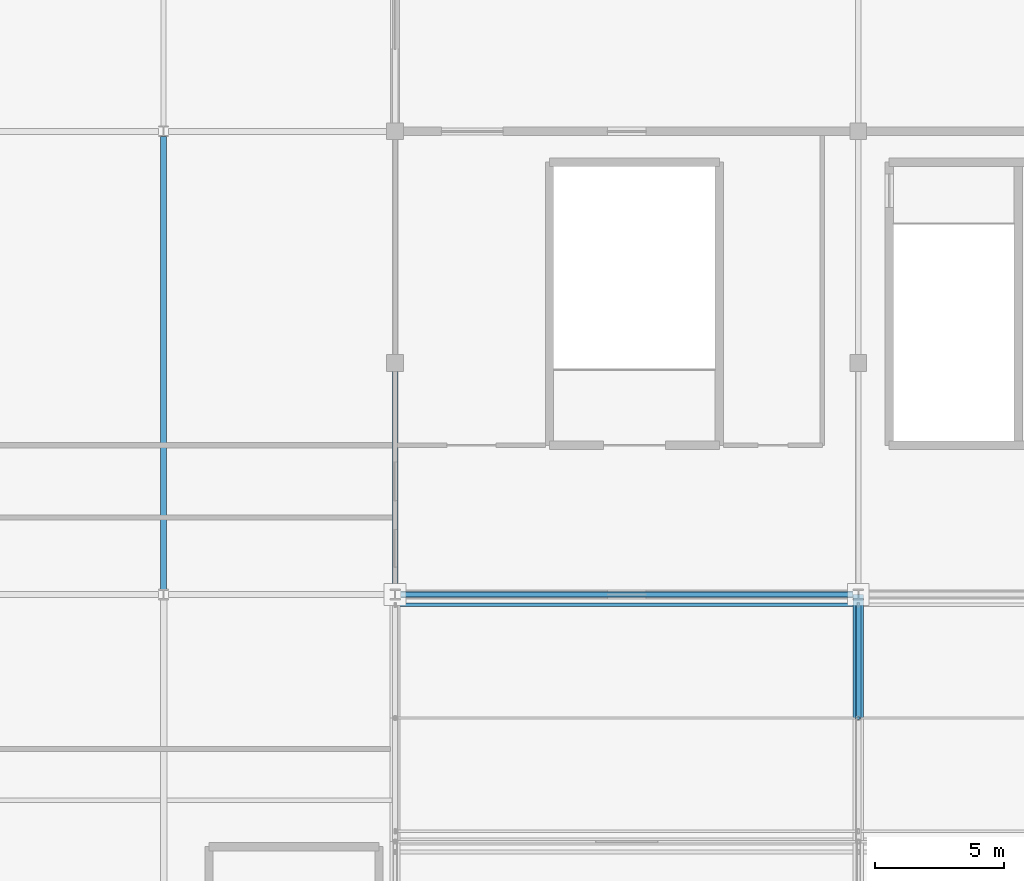
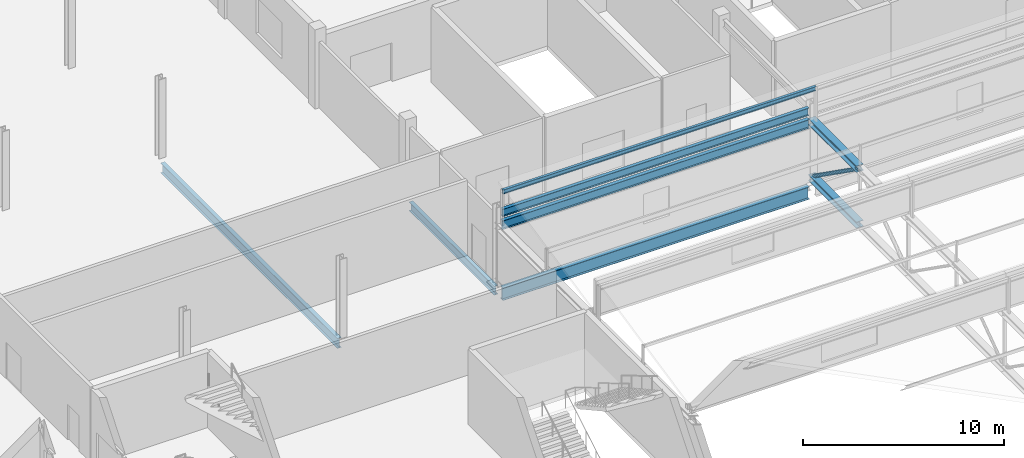
# One storey, part 45 of 136: 7 beams, 2 members.
"""IFC4 building model written with IfcOpenShell, lengths in metres."""

import ifcopenshell
import ifcopenshell.guid

model = None  # the IFC model being written
_history = None  # IfcOwnerHistory: only IFC2X3 demands one
_inside = {}  # id of a spatial element -> (the spatial element, [elements in it])
_under = {}  # id of a project, library or spatial element -> (it, [spatial elements below it])
_declared = {}  # id of a project -> (the project, [libraries it declares])
_typed = {}  # id of a type object -> (the type object, [elements of that type])
_made_of = {}  # id of a material, layer set ... -> (it, [elements and type objects made of it])


def new_model(schema):
    """Start an empty IFC model of exactly this schema.

    Asked for "IFC4X3", IfcOpenShell would pick the latest addendum, in which some entities
    have other attributes; the version numbers below select the first issue.
    IFC2X3 requires an IfcOwnerHistory on every rooted entity: one is made here for all.
    """
    global model, _history
    if schema == "IFC4X3":
        model = ifcopenshell.file(schema_version=(4, 3, 0, 0))
    else:
        model = ifcopenshell.file(schema=schema)
    _inside.clear()
    _under.clear()
    _declared.clear()
    _typed.clear()
    _made_of.clear()
    _history = None
    if model.schema == "IFC2X3":
        org = make("IfcOrganization", Name="unknown")
        user = make(
            "IfcPersonAndOrganization",
            ThePerson=make("IfcPerson", FamilyName="unknown"),
            TheOrganization=org,
        )
        app = make(
            "IfcApplication",
            ApplicationDeveloper=org,
            Version="unknown",
            ApplicationFullName="unknown",
            ApplicationIdentifier="unknown",
        )
        _history = make(
            "IfcOwnerHistory",
            OwningUser=user,
            OwningApplication=app,
            ChangeAction="ADDED",
            CreationDate=0,
        )
    return model


def make(cls, **values):
    """One entity of the class cls with the attributes given. An attribute that is None is left unset."""
    return model.create_entity(
        cls, **{name: value for name, value in values.items() if value is not None}
    )


def rooted(cls, **values):
    """An entity with a GlobalId (a new one), such as an element, a storey or a relation."""
    return make(cls, GlobalId=ifcopenshell.guid.new(), OwnerHistory=_history, **values)


def si_unit(unit_type, name, prefix=None):
    """IfcSIUnit, for example si_unit("LENGTHUNIT", "METRE", prefix="MILLI")."""
    return make("IfcSIUnit", UnitType=unit_type, Prefix=prefix, Name=name)


def assignment(units):
    """IfcUnitAssignment: the units of a project."""
    return None if units is None else make("IfcUnitAssignment", Units=units)


def point(xyz):
    """IfcCartesianPoint."""
    return None if xyz is None else make("IfcCartesianPoint", Coordinates=xyz)


def direction(xyz):
    """IfcDirection."""
    return None if xyz is None else make("IfcDirection", DirectionRatios=xyz)


def frame(location, z_axis=None, x_axis=None):
    """IfcAxis2Placement3D, a coordinate frame: its origin and axes. An axis left out is left unset."""
    return make(
        "IfcAxis2Placement3D",
        Location=point(location),
        Axis=direction(z_axis),
        RefDirection=direction(x_axis),
    )


def frame_2d(location, x_axis=None):
    """IfcAxis2Placement2D, a coordinate frame in the plane: its origin and x axis."""
    return make(
        "IfcAxis2Placement2D", Location=point(location), RefDirection=direction(x_axis)
    )


def origin():
    """The frame at (0, 0, 0) with its axes left unset."""
    return frame((0.0, 0.0, 0.0))


def origin_2d():
    """The frame at (0, 0) in the plane with its x axis left unset."""
    return frame_2d((0.0, 0.0))


def place(relative_to, where):
    """IfcLocalPlacement: puts the frame where relative to a parent placement (None: the world)."""
    return make(
        "IfcLocalPlacement", PlacementRelTo=relative_to, RelativePlacement=where
    )


def context(
    kind, dimensions, precision=None, world=None, true_north=None, identifier=None
):
    """IfcGeometricRepresentationContext, for example the 3D "Model" context."""
    return make(
        "IfcGeometricRepresentationContext",
        ContextIdentifier=identifier,
        ContextType=kind,
        CoordinateSpaceDimension=dimensions,
        Precision=precision,
        WorldCoordinateSystem=world,
        TrueNorth=true_north,
    )


def subcontext(parent, identifier, kind, view, scale=None):
    """IfcGeometricRepresentationSubContext, for example "Body" below "Model"."""
    return make(
        "IfcGeometricRepresentationSubContext",
        ContextIdentifier=identifier,
        ContextType=kind,
        ParentContext=parent,
        TargetScale=scale,
        TargetView=view,
    )


def project(units=None, contexts=None):
    """IfcProject with its units and contexts."""
    return rooted(
        "IfcProject",
        Name="project",
        RepresentationContexts=contexts,
        UnitsInContext=assignment(units),
    )


def spatial(cls, under=None, at=None, **own):
    """A site, building, storey or space (cls), placed at a placement, below another one or the project."""
    s = rooted(cls, ObjectPlacement=at, **own)
    if under is not None:
        _under.setdefault(under.id(), (under, []))[1].append(s)
    return s


def profile(cls, at=None, kind="AREA", **sizes):
    """A parametric profile (cls). Its sizes go by their IFC names, for example OverallWidth=200.0."""
    return make(cls, ProfileType=kind, Position=at, **sizes)


def hollow_circle(**sizes):
    """IfcCircleHollowProfileDef."""
    return profile("IfcCircleHollowProfileDef", **sizes)


def i_section(**sizes):
    """IfcIShapeProfileDef."""
    return profile("IfcIShapeProfileDef", **sizes)


def extrude(swept, where, along, depth):
    """IfcExtrudedAreaSolid: the profile swept, set in the frame where, extruded along a direction by depth."""
    return make(
        "IfcExtrudedAreaSolid",
        SweptArea=swept,
        Position=where,
        ExtrudedDirection=direction(along),
        Depth=depth,
    )


def shape(context_of_items, identifier, shape_type, items):
    """IfcShapeRepresentation: the items that make up one representation, for example the "Body"."""
    return make(
        "IfcShapeRepresentation",
        ContextOfItems=context_of_items,
        RepresentationIdentifier=identifier,
        RepresentationType=shape_type,
        Items=items,
    )


def material(Name=None, Category=None):
    """IfcMaterial."""
    return make("IfcMaterial", Name=Name, Category=Category)


def material_profile(
    of_material, cross_section, Name=None, Category=None, Priority=None
):
    """IfcMaterialProfile: a cross section and its material."""
    return make(
        "IfcMaterialProfile",
        Name=Name,
        Material=of_material,
        Profile=cross_section,
        Priority=Priority,
        Category=Category,
    )


def profile_set(profiles, Name=None, composite=None):
    """IfcMaterialProfileSet."""
    return make(
        "IfcMaterialProfileSet",
        Name=Name,
        MaterialProfiles=profiles,
        CompositeProfile=composite,
    )


def made_of(thing, what):
    """Note that an element or type object is made of a material, layer set ...; save() writes the relation."""
    if what is not None:
        _made_of.setdefault(what.id(), (what, []))[1].append(thing)
    return thing


def type_object(cls, material=None, **own):
    """A type object (cls), such as IfcWallType, which elements share."""
    return made_of(rooted(cls, **own), material)


def element(
    cls,
    number,
    at=None,
    inside=None,
    cuts=None,
    type_object=None,
    material=None,
    context=None,
    identifier="Body",
    shape_type=None,
    held_by="IfcProductDefinitionShape",
    body=None,
    shapes=None,
    **own,
):
    """One element of the class cls, such as IfcWall. Its Tag is "e" and its number.

    at: its placement. inside: the storey or other place that contains it. cuts: it is an
    opening in that element (IfcRelVoidsElement). A single representation is given by context,
    identifier, shape_type and body (its items); several are given by shapes. held_by: the class
    of the entity that holds the representations. save() writes the other relations.
    """
    e = rooted(cls, Tag="e%d" % number, ObjectPlacement=at, **own)
    if body is not None:
        shapes = [shape(context, identifier, shape_type, body)]
    if shapes is not None:
        e.Representation = make(held_by, Representations=shapes)
    if inside is not None:
        _inside.setdefault(inside.id(), (inside, []))[1].append(e)
    if cuts is not None:
        rooted(
            "IfcRelVoidsElement", RelatingBuildingElement=cuts, RelatedOpeningElement=e
        )
    if type_object is not None:
        _typed.setdefault(type_object.id(), (type_object, []))[1].append(e)
    return made_of(e, material)


def aggregate(whole, parts):
    """IfcRelAggregates: a whole, such as a stair, and the parts it consists of."""
    return rooted("IfcRelAggregates", RelatingObject=whole, RelatedObjects=parts)


def save(model, path):
    """Write the relations noted so far, then the file.

    IfcRelAggregates (storeys below a building ...), IfcRelContainedInSpatialStructure (elements
    in a storey), IfcRelDefinesByType, IfcRelAssociatesMaterial and IfcRelDeclares: one each for
    every whole, place, type object, material and project.
    """
    for whole, parts in _under.values():
        aggregate(whole, parts)
    for where, things in _inside.values():
        rooted(
            "IfcRelContainedInSpatialStructure",
            RelatedElements=things,
            RelatingStructure=where,
        )
    for kind, things in _typed.values():
        rooted("IfcRelDefinesByType", RelatedObjects=things, RelatingType=kind)
    for what, things in _made_of.values():
        rooted("IfcRelAssociatesMaterial", RelatedObjects=things, RelatingMaterial=what)
    for by, libraries in _declared.values():
        rooted("IfcRelDeclares", RelatingContext=by, RelatedDefinitions=libraries)
    model.write(path)


model = new_model("IFC4")

# Units and contexts
model_context = context("Model", 3, precision=1e-05, world=origin(), true_north=direction((0.0, 1.0)))
body_context = subcontext(model_context, "Body", "Model", "MODEL_VIEW")
ifc_project = project(units=[si_unit("LENGTHUNIT", "METRE"), si_unit("AREAUNIT", "SQUARE_METRE"), si_unit("VOLUMEUNIT", "CUBIC_METRE"), si_unit("PLANEANGLEUNIT", "RADIAN"), si_unit("MASSUNIT", "GRAM", prefix="KILO")], contexts=[model_context])

# Site, building, storey
site_placement = place(None, origin())
site = spatial("IfcSite", under=ifc_project, at=site_placement, CompositionType="ELEMENT")
building_placement = place(site_placement, origin())
building = spatial("IfcBuilding", under=site, at=building_placement, Name="Kisiwana Market Hall", CompositionType="ELEMENT")
storey_placement = place(building_placement, frame((0.0, 0.0, 16.800048828125)))
storey = spatial("IfcBuildingStorey", under=building, at=storey_placement, Name="L03", CompositionType="ELEMENT", Elevation=16.800048828125)

# Beams
ifc_material_1 = material(Name="Steel S355", Category="steel")
ifc_material_profile_1 = material_profile(ifc_material_1, i_section(OverallWidth=0.19140625, OverallDepth=0.4599609375, WebThickness=0.010009765625, FlangeThickness=0.01611328125, at=origin_2d()), Name="UB 457x191x82")
ifc_profile_set_1 = profile_set([ifc_material_profile_1], Name="Steel S355")
beam_type_1 = type_object("IfcBeamType", Name="BM-GIRD-UB457H", PredefinedType="BEAM", material=ifc_profile_set_1)
beam_1_placement = place(storey_placement, frame((45.201904296875, 84.0, 4.27783203125), z_axis=(1.0, 0.0, 0.0), x_axis=(0.0, 1.0, 0.0)))
element("IfcBeam", 1, at=beam_1_placement, inside=storey, type_object=beam_type_1, Name="Roof girder B-1150", PredefinedType="BEAM", context=body_context, shape_type="SweptSolid", body=[
    extrude(i_section(OverallWidth=0.19140625, OverallDepth=0.4599609375, WebThickness=0.010009765625, FlangeThickness=0.01611328125, at=origin_2d()), origin(), (0.0, 0.0, 1.0), 17.59619140625),
])
ifc_material_2 = material(Name="Steel S355", Category="steel")
ifc_material_profile_2 = material_profile(ifc_material_2, i_section(OverallWidth=0.209228515625, OverallDepth=0.533203125, WebThickness=0.010009765625, FlangeThickness=0.015625, at=origin_2d()), Name="UB 533x210x92")
ifc_profile_set_2 = profile_set([ifc_material_profile_2], Name="Steel S355")
beam_type_2 = type_object("IfcBeamType", Name="BM-GIRD-UB533", PredefinedType="BEAM", material=ifc_profile_set_2)
beam_2_placement = place(storey_placement, frame((45.0, 84.21337890625, -0.5166015625), z_axis=(0.0, 1.0, 0.0), x_axis=(-1.0, 0.0, 0.0)))
element("IfcBeam", 2, at=beam_2_placement, inside=storey, type_object=beam_type_2, Name="Primary girder B-0879", PredefinedType="BEAM", context=body_context, shape_type="SweptSolid", body=[
    extrude(i_section(OverallWidth=0.209228515625, OverallDepth=0.533203125, WebThickness=0.010009765625, FlangeThickness=0.015625, at=origin_2d()), origin(), (0.0, 0.0, 1.0), 8.465576171875),
])
beam_3_placement = place(storey_placement, frame((45.199951171875, 84.0, 3.54345703125), z_axis=(1.0, 0.0, 0.0), x_axis=(0.0, 1.0, 0.0)))
element("IfcBeam", 3, at=beam_3_placement, inside=storey, type_object=beam_type_2, Name="Truss eaves tie B-1164", PredefinedType="BEAM", context=body_context, shape_type="SweptSolid", body=[
    extrude(i_section(OverallWidth=0.209228515625, OverallDepth=0.533203125, WebThickness=0.010009765625, FlangeThickness=0.015625, at=origin_2d()), origin(), (0.0, 0.0, 1.0), 17.60009765625),
])
ifc_material_3 = material(Name="Steel S355", Category="steel")
ifc_material_profile_3 = material_profile(ifc_material_3, i_section(OverallWidth=0.22900390625, OverallDepth=0.6123046875, WebThickness=0.011962890625, FlangeThickness=0.01953125, at=origin_2d()), Name="UB 610x229x125")
ifc_profile_set_3 = profile_set([ifc_material_profile_3], Name="Steel S355")
beam_type_3 = type_object("IfcBeamType", Name="BM-GIRD-UB610H", PredefinedType="BEAM", material=ifc_profile_set_3)
beam_4_placement = place(storey_placement, frame((36.0, 84.2041015625, -0.55615234375), z_axis=(0.0, 1.0, 0.0), x_axis=(-1.0, 0.0, 0.0)))
element("IfcBeam", 4, at=beam_4_placement, inside=storey, type_object=beam_type_3, Name="Primary girder B-0872", PredefinedType="BEAM", context=body_context, shape_type="SweptSolid", body=[
    extrude(i_section(OverallWidth=0.22900390625, OverallDepth=0.6123046875, WebThickness=0.011962890625, FlangeThickness=0.01953125, at=origin_2d()), origin(), (0.0, 0.0, 1.0), 17.591796875),
])
ifc_material_4 = material(Name="Steel S355", Category="steel")
ifc_material_profile_4 = material_profile(ifc_material_4, i_section(OverallWidth=0.2666015625, OverallDepth=0.76220703125, WebThickness=0.014404296875, FlangeThickness=0.021484375, at=origin_2d()), Name="UB 762x267x173")
ifc_profile_set_4 = profile_set([ifc_material_profile_4], Name="Steel S355")
beam_type_4 = type_object("IfcBeamType", Name="BM-GIRD-UB762", PredefinedType="BEAM", material=ifc_profile_set_4)
beam_5_placement = place(storey_placement, frame((45.201904296875, 84.0, -0.631103515625), z_axis=(1.0, 0.0, 0.0), x_axis=(0.0, 1.0, 0.0)))
element("IfcBeam", 5, at=beam_5_placement, inside=storey, type_object=beam_type_4, Name="Floor beam B-1029", PredefinedType="BEAM", context=body_context, shape_type="SweptSolid", body=[
    extrude(i_section(OverallWidth=0.2666015625, OverallDepth=0.76220703125, WebThickness=0.014404296875, FlangeThickness=0.021484375, at=origin_2d()), origin(), (0.0, 0.0, 1.0), 17.59619140625),
])
ifc_material_5 = material(Name="Steel S355", Category="steel")
ifc_material_profile_5 = material_profile(ifc_material_5, i_section(OverallWidth=0.394775390625, OverallDepth=0.381103515625, WebThickness=0.018310546875, FlangeThickness=0.0302734375, at=origin_2d()), Name="UC 356x406x235")
ifc_profile_set_5 = profile_set([ifc_material_profile_5], Name="Steel S355")
beam_type_5 = type_object("IfcBeamType", Name="BM-TRUSS-BOT", PredefinedType="USERDEFINED", material=ifc_profile_set_5)
beam_6_placement = place(storey_placement, frame((63.0, 79.199951171875, 0.22998046875), z_axis=(0.0, 1.0, 0.0), x_axis=(-1.0, 0.0, 0.0)))
element("IfcBeam", 6, at=beam_6_placement, inside=storey, type_object=beam_type_5, Name="TR-02 BC panel 10 B-1198", ObjectType="ROOF TRUSS", PredefinedType="USERDEFINED", context=body_context, shape_type="SweptSolid", body=[
    extrude(i_section(OverallWidth=0.394775390625, OverallDepth=0.381103515625, WebThickness=0.018310546875, FlangeThickness=0.0302734375, at=origin_2d()), origin(), (0.0, 0.0, 1.0), 4.800048828125),
])
ifc_material_6 = material(Name="Steel S355", Category="steel")
ifc_material_profile_6 = material_profile(ifc_material_6, i_section(OverallWidth=0.39892578125, OverallDepth=0.3935546875, WebThickness=0.022705078125, FlangeThickness=0.03662109375, at=origin_2d()), Name="UC 356x406x287")
ifc_profile_set_6 = profile_set([ifc_material_profile_6], Name="Steel S355")
beam_type_6 = type_object("IfcBeamType", Name="BM-TRUSS-TOP", PredefinedType="USERDEFINED", material=ifc_profile_set_6)
beam_7_placement = place(storey_placement, frame((63.0, 79.199951171875, 3.619873046875), z_axis=(0.0, 1.0, 0.0), x_axis=(-1.0, 0.0, 0.0)))
element("IfcBeam", 7, at=beam_7_placement, inside=storey, type_object=beam_type_6, Name="TR-02 TC panel 10 B-1208", ObjectType="ROOF TRUSS", PredefinedType="USERDEFINED", context=body_context, shape_type="SweptSolid", body=[
    extrude(i_section(OverallWidth=0.39892578125, OverallDepth=0.3935546875, WebThickness=0.022705078125, FlangeThickness=0.03662109375, at=origin_2d()), origin(), (0.0, 0.0, 1.0), 4.800048828125),
])

# Members
ifc_material_7 = material(Name="Steel S355", Category="steel")
ifc_material_profile_7 = material_profile(ifc_material_7, i_section(OverallWidth=0.146484375, OverallDepth=0.256103515625, WebThickness=0.00634765625, FlangeThickness=0.010986328125, at=origin_2d()), Name="UB 254x146x37")
ifc_profile_set_7 = profile_set([ifc_material_profile_7], Name="Steel S355")
member_type_1 = type_object("IfcMemberType", Name="MB-ROOF-PURLIN2", PredefinedType="PURLIN", material=ifc_profile_set_7)
member_1_placement = place(storey_placement, frame((45.0, 83.60009765625, 5.843505859375), z_axis=(1.0, 0.0, 0.0), x_axis=(0.0, 1.0, 0.0)))
element("IfcMember", 8, at=member_1_placement, inside=storey, type_object=member_type_1, Name="Sawtooth roof purlin 350 M-0211", PredefinedType="PURLIN", context=body_context, shape_type="SweptSolid", body=[
    extrude(i_section(OverallWidth=0.146484375, OverallDepth=0.256103515625, WebThickness=0.00634765625, FlangeThickness=0.010986328125, at=origin_2d()), origin(), (0.0, 0.0, 1.0), 18.0),
])
ifc_material_8 = material(Name="Steel S355", Category="steel")
ifc_material_profile_8 = material_profile(ifc_material_8, hollow_circle(Radius=0.109619140625, WallThickness=0.012451171875, at=origin_2d()), Name="CHS 219.1x12.5")
ifc_profile_set_8 = profile_set([ifc_material_profile_8], Name="Steel S355")
member_type_2 = type_object("IfcMemberType", Name="MB-TR-DIAG219", PredefinedType="BRACE", material=ifc_profile_set_8)
member_2_placement = place(storey_placement, frame((63.0, 79.199951171875, 3.619873046875), z_axis=(0.0, 0.816837735077, -0.576867501732), x_axis=(-1.0, 0.0, 0.0)))
element("IfcMember", 9, at=member_2_placement, inside=storey, type_object=member_type_2, Name="TR-02 diagonal 10 M-0355", PredefinedType="BRACE", context=body_context, shape_type="SweptSolid", body=[
    extrude(hollow_circle(Radius=0.109619140625, WallThickness=0.012451171875, at=origin_2d()), origin(), (0.0, 0.0, 1.0), 5.87646484375),
])

save(model, "model.ifc")
